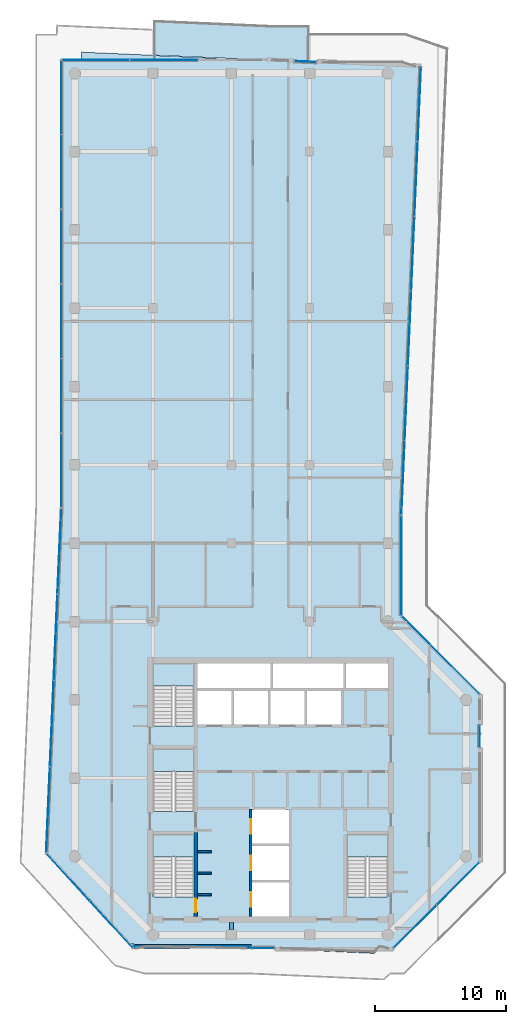
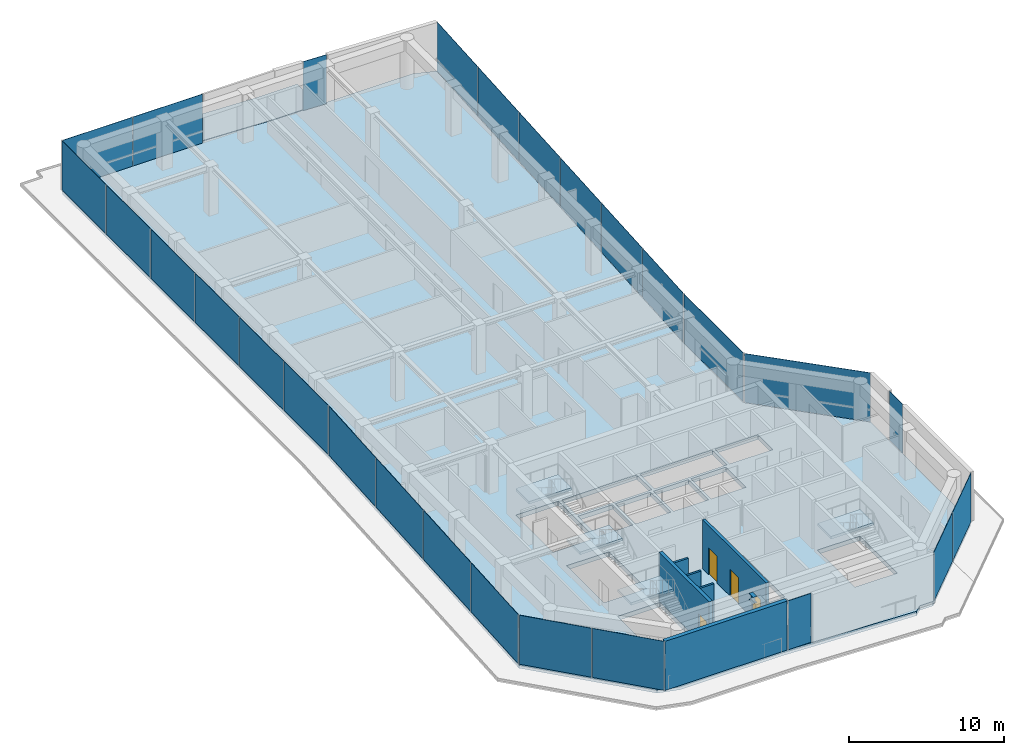
# One storey, part 15 of 20: 27 plates, 6 slabs, 6 walls, 4 doors, 1 beam, 4 openings, 15 elements without a shape of their own.
"""IFC4 building model written with IfcOpenShell, lengths in metres."""

from ifc_helpers import new_model, si_unit, direction, frame, frame_2d, origin, origin_2d, place, context, subcontext, project, spatial, polyline, rectangle, i_section, outline, extrude, material, layer, layer_set, material_profile, profile_set, type_object, element, fill, aggregate, save


model = new_model("IFC4")

# Units and contexts
model_context = context("Model", 3, precision=1e-05, world=origin(), true_north=direction((0.0, 1.0)))
body_context = subcontext(model_context, "Body", "Model", "MODEL_VIEW")
ifc_project = project(units=[si_unit("LENGTHUNIT", "METRE"), si_unit("AREAUNIT", "SQUARE_METRE"), si_unit("VOLUMEUNIT", "CUBIC_METRE"), si_unit("PLANEANGLEUNIT", "RADIAN"), si_unit("MASSUNIT", "GRAM", prefix="KILO")], contexts=[model_context])

# Site, building, storey
site_placement = place(None, origin())
site = spatial("IfcSite", under=ifc_project, at=site_placement, CompositionType="ELEMENT")
building_placement = place(site_placement, origin())
building = spatial("IfcBuilding", under=site, at=building_placement, Name="Welwitschia Terrace Campus", CompositionType="ELEMENT")
storey_placement = place(building_placement, frame((0.0, 0.0, 239.0)))
storey = spatial("IfcBuildingStorey", under=building, at=storey_placement, Name="L53", CompositionType="ELEMENT", Elevation=239.0)

# Beam
ifc_material_1 = material(Name="Steel S355", Category="steel")
ifc_material_profile = material_profile(ifc_material_1, i_section(OverallWidth=0.300048828125, OverallDepth=0.489990234375, WebThickness=0.011962890625, FlangeThickness=0.02294921875, FilletRadius=0.027099609375, at=origin_2d()))
ifc_profile_set = profile_set([ifc_material_profile], Name="Steel S355")
beam_type = type_object("IfcBeamType", Name="Primary beam HE 500 A", PredefinedType="BEAM", material=ifc_profile_set)
beam_placement = place(storey_placement, frame((12.0, 4.400390625, 3.60498046875), z_axis=(0.0, 1.0, 0.0), x_axis=(-1.0, 0.0, 0.0)))
element("IfcBeam", 1, at=beam_placement, inside=storey, type_object=beam_type, Name="Primary beam PB5", PredefinedType="BEAM", context=body_context, shape_type="SweptSolid", body=[
    extrude(i_section(OverallWidth=0.300048828125, OverallDepth=0.489990234375, WebThickness=0.011962890625, FlangeThickness=0.02294921875, FilletRadius=0.027099609375, at=origin_2d()), origin(), (0.0, 0.0, 1.0), 0.549560546875),
])

# Curtain wall, plates
ifc_material_2 = material(Name="Bronze anodised aluminium", Category="aluminium")
ifc_layer_1 = layer(ifc_material_2, 0.1201171875)
ifc_layer_set_1 = layer_set([ifc_layer_1], Name="Bronze anodised aluminium")
curtain_wall_type = type_object("IfcCurtainWallType", Name="Curtain wall CW2 tower 6000", PredefinedType="NOTDEFINED", material=ifc_layer_set_1)
curtain_wall_1_placement = place(storey_placement, origin())
curtain_wall_1 = element("IfcCurtainWall", 2, at=curtain_wall_1_placement, inside=storey, type_object=curtain_wall_type, Name="CW L53.0.0", PredefinedType="NOTDEFINED")
ifc_material_3 = material(Name="Tinted bronze-grey glass", Category="glass")
ifc_layer_2 = layer(ifc_material_3, 0.028076171875)
ifc_layer_set_2 = layer_set([ifc_layer_2], Name="Tinted bronze-grey glass")
plate_type = type_object("IfcPlateType", Name="Glass panel 28 tinted", PredefinedType="CURTAIN_PANEL", material=ifc_layer_set_2)
plate_1_placement = place(storey_placement, frame((-1.175048828125, 33.392822265625, 0.0), z_axis=(0.0, 0.0, 1.0), x_axis=(-0.043619387365, -0.999048221582, 0.0)))
plate_1 = element("IfcPlate", 3, at=plate_1_placement, type_object=plate_type, Name="Panel L53.0.0.0", PredefinedType="CURTAIN_PANEL", context=body_context, shape_type="SweptSolid", body=[
    extrude(rectangle(XDim=6.53173828125, YDim=0.028076171875, at=origin_2d()), origin(), (0.0, 0.0, 1.0), 3.85009765625),
])
plate_2_placement = place(storey_placement, frame((-1.46337890625, 26.792236328125, 0.0), z_axis=(0.0, 0.0, 1.0), x_axis=(-0.043619387365, -0.999048221582, 0.0)))
plate_2 = element("IfcPlate", 4, at=plate_2_placement, type_object=plate_type, Name="Panel L53.0.0.1", PredefinedType="CURTAIN_PANEL", context=body_context, shape_type="SweptSolid", body=[
    extrude(rectangle(XDim=6.561767578125, YDim=0.028076171875, at=origin_2d()), origin(), (0.0, 0.0, 1.0), 3.85009765625),
])
plate_3_placement = place(storey_placement, frame((-1.752197265625, 20.176513671875, 0.0), z_axis=(0.0, 0.0, 1.0), x_axis=(-0.043619387365, -0.999048221582, 0.0)))
plate_3 = element("IfcPlate", 5, at=plate_3_placement, type_object=plate_type, Name="Panel L53.0.0.2", PredefinedType="CURTAIN_PANEL", context=body_context, shape_type="SweptSolid", body=[
    extrude(rectangle(XDim=6.561767578125, YDim=0.028076171875, at=origin_2d()), origin(), (0.0, 0.0, 1.0), 3.85009765625),
])
plate_4_placement = place(storey_placement, frame((-2.040283203125, 13.576171875, 0.0), z_axis=(0.0, 0.0, 1.0), x_axis=(-0.043619387365, -0.999048221582, 0.0)))
plate_4 = element("IfcPlate", 6, at=plate_4_placement, type_object=plate_type, Name="Panel L53.0.0.3", PredefinedType="CURTAIN_PANEL", context=body_context, shape_type="SweptSolid", body=[
    extrude(rectangle(XDim=6.53173828125, YDim=0.028076171875, at=origin_2d()), origin(), (0.0, 0.0, 1.0), 3.85009765625),
])
aggregate(curtain_wall_1, [plate_1, plate_2, plate_3, plate_4])

curtain_wall_2_placement = place(storey_placement, origin())
curtain_wall_2 = element("IfcCurtainWall", 7, at=curtain_wall_2_placement, inside=storey, type_object=curtain_wall_type, Name="CW L53.1.0", PredefinedType="NOTDEFINED")
plate_5_placement = place(storey_placement, frame((-0.5068359375, 8.42138671875, 0.0), z_axis=(0.0, 0.0, 1.0), x_axis=(0.675590207616, -0.73727733681, 0.0)))
plate_5 = element("IfcPlate", 8, at=plate_5_placement, type_object=plate_type, Name="Panel L53.1.0.0", PredefinedType="CURTAIN_PANEL", context=body_context, shape_type="SweptSolid", body=[
    extrude(rectangle(XDim=4.849365234375, YDim=0.028076171875, at=origin_2d()), origin(), (0.0, 0.0, 1.0), 3.85009765625),
])
plate_6_placement = place(storey_placement, frame((2.81005859375, 4.802001953125, 0.0), z_axis=(0.0, 0.0, 1.0), x_axis=(0.675590207616, -0.73727733681, 0.0)))
plate_6 = element("IfcPlate", 9, at=plate_6_placement, type_object=plate_type, Name="Panel L53.1.0.1", PredefinedType="CURTAIN_PANEL", context=body_context, shape_type="SweptSolid", body=[
    extrude(rectangle(XDim=4.849365234375, YDim=0.028076171875, at=origin_2d()), origin(), (0.0, 0.0, 1.0), 3.85009765625),
])
aggregate(curtain_wall_2, [plate_5, plate_6])

# Curtain wall, plate
curtain_wall_3_placement = place(storey_placement, origin())
curtain_wall_3 = element("IfcCurtainWall", 10, at=curtain_wall_3_placement, inside=storey, type_object=curtain_wall_type, Name="CW L53.2.S0", PredefinedType="NOTDEFINED")
plate_7_placement = place(storey_placement, frame((14.45751953125, 2.969970703125, 0.0), z_axis=(0.0, 0.0, 1.0), x_axis=(1.0, 0.0, 0.0)))
plate_7 = element("IfcPlate", 11, at=plate_7_placement, type_object=plate_type, Name="Panel L53.2.S0.0", PredefinedType="CURTAIN_PANEL", context=body_context, shape_type="SweptSolid", body=[
    extrude(rectangle(XDim=1.679931640625, YDim=0.028076171875, at=origin_2d()), origin(), (0.0, 0.0, 1.0), 3.85009765625),
])
aggregate(curtain_wall_3, [plate_7])

# Curtain wall, plates
curtain_wall_4_placement = place(storey_placement, origin())
curtain_wall_4 = element("IfcCurtainWall", 12, at=curtain_wall_4_placement, inside=storey, type_object=curtain_wall_type, Name="CW L53.3.0", PredefinedType="NOTDEFINED")
plate_8_placement = place(storey_placement, frame((26.088134765625, 4.63134765625, 0.0), z_axis=(0.0, 0.0, 1.0), x_axis=(0.707106781187, 0.707106781187, 0.0)))
plate_8 = element("IfcPlate", 13, at=plate_8_placement, type_object=plate_type, Name="Panel L53.3.0.0", PredefinedType="CURTAIN_PANEL", context=body_context, shape_type="SweptSolid", body=[
    extrude(rectangle(XDim=4.579345703125, YDim=0.028076171875, at=origin_2d()), origin(), (0.0, 0.0, 1.0), 3.85009765625),
])
plate_9_placement = place(storey_placement, frame((29.36865234375, 7.911865234375, 0.0), z_axis=(0.0, 0.0, 1.0), x_axis=(0.707106781187, 0.707106781187, 0.0)))
plate_9 = element("IfcPlate", 14, at=plate_9_placement, type_object=plate_type, Name="Panel L53.3.0.1", PredefinedType="CURTAIN_PANEL", context=body_context, shape_type="SweptSolid", body=[
    extrude(rectangle(XDim=4.579345703125, YDim=0.028076171875, at=origin_2d()), origin(), (0.0, 0.0, 1.0), 3.85009765625),
])
aggregate(curtain_wall_4, [plate_8, plate_9])

# Curtain wall, plate
curtain_wall_5_placement = place(storey_placement, origin())
curtain_wall_5 = element("IfcCurtainWall", 15, at=curtain_wall_5_placement, inside=storey, type_object=curtain_wall_type, Name="CW L53.4.S0", PredefinedType="NOTDEFINED")
plate_10_placement = place(storey_placement, frame((31.030029296875, 19.21337890625, 0.0), z_axis=(0.0, 0.0, 1.0), x_axis=(0.0, 1.0, 0.0)))
plate_10 = element("IfcPlate", 16, at=plate_10_placement, type_object=plate_type, Name="Panel L53.4.S0.0", PredefinedType="CURTAIN_PANEL", context=body_context, shape_type="SweptSolid", body=[
    extrude(rectangle(XDim=1.679931640625, YDim=0.028076171875, at=origin_2d()), origin(), (0.0, 0.0, 1.0), 3.85009765625),
])
aggregate(curtain_wall_5, [plate_10])

curtain_wall_6_placement = place(storey_placement, origin())
curtain_wall_6 = element("IfcCurtainWall", 17, at=curtain_wall_6_placement, inside=storey, type_object=curtain_wall_type, Name="CW L53.5.0", PredefinedType="NOTDEFINED")
plate_11_placement = place(storey_placement, frame((28.030029296875, 25.4267578125, 0.0), z_axis=(0.0, 0.0, 1.0), x_axis=(-0.707106781187, 0.707106781187, 0.0)))
plate_11 = element("IfcPlate", 18, at=plate_11_placement, type_object=plate_type, Name="Panel L53.5.0.0", PredefinedType="CURTAIN_PANEL", context=body_context, shape_type="SweptSolid", body=[
    extrude(rectangle(XDim=8.365234375, YDim=0.028076171875, at=origin_2d()), origin(), (0.0, 0.0, 1.0), 3.85009765625),
])
aggregate(curtain_wall_6, [plate_11])

curtain_wall_7_placement = place(storey_placement, origin())
curtain_wall_7 = element("IfcCurtainWall", 19, at=curtain_wall_7_placement, inside=storey, type_object=curtain_wall_type, Name="CW L53.6.0", PredefinedType="NOTDEFINED")
plate_12_placement = place(storey_placement, frame((25.030029296875, 32.28662109375, 0.0), z_axis=(0.0, 0.0, 1.0), x_axis=(0.0, 1.0, 0.0)))
plate_12 = element("IfcPlate", 20, at=plate_12_placement, type_object=plate_type, Name="Panel L53.6.0.0", PredefinedType="CURTAIN_PANEL", context=body_context, shape_type="SweptSolid", body=[
    extrude(rectangle(XDim=7.60009765625, YDim=0.028076171875, at=origin_2d()), origin(), (0.0, 0.0, 1.0), 3.85009765625),
])
aggregate(curtain_wall_7, [plate_12])

# Curtain wall, plates
curtain_wall_8_placement = place(storey_placement, origin())
curtain_wall_8 = element("IfcCurtainWall", 21, at=curtain_wall_8_placement, inside=storey, type_object=curtain_wall_type, Name="CW L53.7.0", PredefinedType="NOTDEFINED")
plate_13_placement = place(storey_placement, frame((25.15576171875, 39.025146484375, 0.0), z_axis=(0.0, 0.0, 1.0), x_axis=(0.043619387365, 0.999048221582, 0.0)))
plate_13 = element("IfcPlate", 22, at=plate_13_placement, type_object=plate_type, Name="Panel L53.7.0.0", PredefinedType="CURTAIN_PANEL", context=body_context, shape_type="SweptSolid", body=[
    extrude(rectangle(XDim=5.64208984375, YDim=0.028076171875, at=origin_2d()), origin(), (0.0, 0.0, 1.0), 3.85009765625),
])
plate_14_placement = place(storey_placement, frame((25.405029296875, 44.73681640625, 0.0), z_axis=(0.0, 0.0, 1.0), x_axis=(0.043619387365, 0.999048221582, 0.0)))
plate_14 = element("IfcPlate", 23, at=plate_14_placement, type_object=plate_type, Name="Panel L53.7.0.1", PredefinedType="CURTAIN_PANEL", context=body_context, shape_type="SweptSolid", body=[
    extrude(rectangle(XDim=5.672119140625, YDim=0.028076171875, at=origin_2d()), origin(), (0.0, 0.0, 1.0), 3.85009765625),
])
plate_15_placement = place(storey_placement, frame((25.655029296875, 50.463623046875, 0.0), z_axis=(0.0, 0.0, 1.0), x_axis=(0.043619387365, 0.999048221582, 0.0)))
plate_15 = element("IfcPlate", 24, at=plate_15_placement, type_object=plate_type, Name="Panel L53.7.0.2", PredefinedType="CURTAIN_PANEL", context=body_context, shape_type="SweptSolid", body=[
    extrude(rectangle(XDim=5.672119140625, YDim=0.028076171875, at=origin_2d()), origin(), (0.0, 0.0, 1.0), 3.85009765625),
])
plate_16_placement = place(storey_placement, frame((25.905029296875, 56.1904296875, 0.0), z_axis=(0.0, 0.0, 1.0), x_axis=(0.043619387365, 0.999048221582, 0.0)))
plate_16 = element("IfcPlate", 25, at=plate_16_placement, type_object=plate_type, Name="Panel L53.7.0.3", PredefinedType="CURTAIN_PANEL", context=body_context, shape_type="SweptSolid", body=[
    extrude(rectangle(XDim=5.672119140625, YDim=0.028076171875, at=origin_2d()), origin(), (0.0, 0.0, 1.0), 3.85009765625),
])
plate_17_placement = place(storey_placement, frame((26.1552734375, 61.9169921875, 0.0), z_axis=(0.0, 0.0, 1.0), x_axis=(0.043619387365, 0.999048221582, 0.0)))
plate_17 = element("IfcPlate", 26, at=plate_17_placement, type_object=plate_type, Name="Panel L53.7.0.4", PredefinedType="CURTAIN_PANEL", context=body_context, shape_type="SweptSolid", body=[
    extrude(rectangle(XDim=5.672119140625, YDim=0.028076171875, at=origin_2d()), origin(), (0.0, 0.0, 1.0), 3.85009765625),
])
plate_18_placement = place(storey_placement, frame((26.404541015625, 67.62890625, 0.0), z_axis=(0.0, 0.0, 1.0), x_axis=(0.043619387365, 0.999048221582, 0.0)))
plate_18 = element("IfcPlate", 27, at=plate_18_placement, type_object=plate_type, Name="Panel L53.7.0.5", PredefinedType="CURTAIN_PANEL", context=body_context, shape_type="SweptSolid", body=[
    extrude(rectangle(XDim=5.64208984375, YDim=0.028076171875, at=origin_2d()), origin(), (0.0, 0.0, 1.0), 3.85009765625),
])
aggregate(curtain_wall_8, [plate_13, plate_14, plate_15, plate_16, plate_17, plate_18])

# Curtain wall, plate
curtain_wall_9_placement = place(storey_placement, origin())
curtain_wall_9 = element("IfcCurtainWall", 28, at=curtain_wall_9_placement, inside=storey, type_object=curtain_wall_type, Name="CW L53.8.S0", PredefinedType="NOTDEFINED")
plate_19_placement = place(storey_placement, frame((17.67919921875, 70.8994140625, 0.0), z_axis=(0.0, 0.0, 1.0), x_axis=(-0.999020079592, 0.044259242784, 0.0)))
plate_19 = element("IfcPlate", 29, at=plate_19_placement, type_object=plate_type, Name="Panel L53.8.S0.0", PredefinedType="CURTAIN_PANEL", context=body_context, shape_type="SweptSolid", body=[
    extrude(rectangle(XDim=1.679931640625, YDim=0.028076171875, at=origin_2d()), origin(), (0.0, 0.0, 1.0), 3.85009765625),
])
aggregate(curtain_wall_9, [plate_19])

# Curtain wall, plates
curtain_wall_10_placement = place(storey_placement, origin())
curtain_wall_10 = element("IfcCurtainWall", 30, at=curtain_wall_10_placement, inside=storey, type_object=curtain_wall_type, Name="CW L53.9.1", PredefinedType="NOTDEFINED")
plate_20_placement = place(storey_placement, frame((6.83447265625, 71.030029296875, 0.0), z_axis=(0.0, 0.0, 1.0), x_axis=(-1.0, 0.0, 0.0)))
plate_20 = element("IfcPlate", 31, at=plate_20_placement, type_object=plate_type, Name="Panel L53.9.1.0", PredefinedType="CURTAIN_PANEL", context=body_context, shape_type="SweptSolid", body=[
    extrude(rectangle(XDim=5.162841796875, YDim=0.028076171875, at=origin_2d()), origin(), (0.0, 0.0, 1.0), 3.85009765625),
])
plate_21_placement = place(storey_placement, frame((1.611572265625, 71.030029296875, 0.0), z_axis=(0.0, 0.0, 1.0), x_axis=(-1.0, 0.0, 0.0)))
plate_21 = element("IfcPlate", 32, at=plate_21_placement, type_object=plate_type, Name="Panel L53.9.1.1", PredefinedType="CURTAIN_PANEL", context=body_context, shape_type="SweptSolid", body=[
    extrude(rectangle(XDim=5.162841796875, YDim=0.028076171875, at=origin_2d()), origin(), (0.0, 0.0, 1.0), 3.85009765625),
])
aggregate(curtain_wall_10, [plate_20, plate_21])

curtain_wall_11_placement = place(storey_placement, origin())
curtain_wall_11 = element("IfcCurtainWall", 33, at=curtain_wall_11_placement, inside=storey, type_object=curtain_wall_type, Name="CW L53.10.0", PredefinedType="NOTDEFINED")
plate_22_placement = place(storey_placement, frame((-1.030029296875, 68.155517578125, 0.0), z_axis=(0.0, 0.0, 1.0), x_axis=(0.0, -1.0, 0.0)))
plate_22 = element("IfcPlate", 34, at=plate_22_placement, type_object=plate_type, Name="Panel L53.10.0.0", PredefinedType="CURTAIN_PANEL", context=body_context, shape_type="SweptSolid", body=[
    extrude(rectangle(XDim=5.629150390625, YDim=0.028076171875, at=origin_2d()), origin(), (0.0, 0.0, 1.0), 3.85009765625),
])
plate_23_placement = place(storey_placement, frame((-1.030029296875, 62.451416015625, 0.0), z_axis=(0.0, 0.0, 1.0), x_axis=(0.0, -1.0, 0.0)))
plate_23 = element("IfcPlate", 35, at=plate_23_placement, type_object=plate_type, Name="Panel L53.10.0.1", PredefinedType="CURTAIN_PANEL", context=body_context, shape_type="SweptSolid", body=[
    extrude(rectangle(XDim=5.6591796875, YDim=0.028076171875, at=origin_2d()), origin(), (0.0, 0.0, 1.0), 3.85009765625),
])
plate_24_placement = place(storey_placement, frame((-1.030029296875, 56.732177734375, 0.0), z_axis=(0.0, 0.0, 1.0), x_axis=(0.0, -1.0, 0.0)))
plate_24 = element("IfcPlate", 36, at=plate_24_placement, type_object=plate_type, Name="Panel L53.10.0.2", PredefinedType="CURTAIN_PANEL", context=body_context, shape_type="SweptSolid", body=[
    extrude(rectangle(XDim=5.6591796875, YDim=0.028076171875, at=origin_2d()), origin(), (0.0, 0.0, 1.0), 3.85009765625),
])
plate_25_placement = place(storey_placement, frame((-1.030029296875, 51.01318359375, 0.0), z_axis=(0.0, 0.0, 1.0), x_axis=(0.0, -1.0, 0.0)))
plate_25 = element("IfcPlate", 37, at=plate_25_placement, type_object=plate_type, Name="Panel L53.10.0.3", PredefinedType="CURTAIN_PANEL", context=body_context, shape_type="SweptSolid", body=[
    extrude(rectangle(XDim=5.6591796875, YDim=0.028076171875, at=origin_2d()), origin(), (0.0, 0.0, 1.0), 3.85009765625),
])
plate_26_placement = place(storey_placement, frame((-1.030029296875, 45.294189453125, 0.0), z_axis=(0.0, 0.0, 1.0), x_axis=(0.0, -1.0, 0.0)))
plate_26 = element("IfcPlate", 38, at=plate_26_placement, type_object=plate_type, Name="Panel L53.10.0.4", PredefinedType="CURTAIN_PANEL", context=body_context, shape_type="SweptSolid", body=[
    extrude(rectangle(XDim=5.6591796875, YDim=0.028076171875, at=origin_2d()), origin(), (0.0, 0.0, 1.0), 3.85009765625),
])
plate_27_placement = place(storey_placement, frame((-1.030029296875, 39.590087890625, 0.0), z_axis=(0.0, 0.0, 1.0), x_axis=(0.0, -1.0, 0.0)))
plate_27 = element("IfcPlate", 39, at=plate_27_placement, type_object=plate_type, Name="Panel L53.10.0.5", PredefinedType="CURTAIN_PANEL", context=body_context, shape_type="SweptSolid", body=[
    extrude(rectangle(XDim=5.629150390625, YDim=0.028076171875, at=origin_2d()), origin(), (0.0, 0.0, 1.0), 3.85009765625),
])
aggregate(curtain_wall_11, [plate_22, plate_23, plate_24, plate_25, plate_26, plate_27])

# Stair, slab
ifc_material_4 = material(Name="Concrete C40/50", Category="concrete")
stair_type = type_object("IfcStairType", Name="Stair 24R 175 W1500", PredefinedType="HALF_TURN_STAIR", material=ifc_material_4)
stair_1_placement = place(storey_placement, origin())
stair_1 = element("IfcStair", 40, at=stair_1_placement, inside=storey, type_object=stair_type, Name="L53 Exit stair S1", PredefinedType="HALF_TURN_STAIR")
ifc_material_5 = material(Name="Concrete C40/50", Category="concrete")
ifc_layer_3 = layer(ifc_material_5, 0.199951171875)
ifc_layer_set_3 = layer_set([ifc_layer_3], Name="Concrete C40/50")
slab_type_1 = type_object("IfcSlabType", Name="Stair landing RC", PredefinedType="LANDING", material=ifc_layer_set_3)
slab_1_placement = place(storey_placement, frame((0.0, 0.0, 1.89990234375)))
slab_1 = element("IfcSlab", 41, at=slab_1_placement, type_object=slab_type_1, Name="S1 landing 1", PredefinedType="LANDING", context=body_context, shape_type="SweptSolid", body=[
    extrude(outline(polyline([(9.14990234375, 9.97998046875), (9.14990234375, 11.699951171875), (6.0, 11.699951171875), (6.0, 9.97998046875), (9.14990234375, 9.97998046875)])), origin(), (0.0, 0.0, 1.0), 0.2001953125),
])
aggregate(stair_1, [slab_1])

stair_2_placement = place(storey_placement, origin())
stair_2 = element("IfcStair", 42, at=stair_2_placement, inside=storey, type_object=stair_type, Name="L53 Exit stair S3", PredefinedType="HALF_TURN_STAIR")
slab_2_placement = place(storey_placement, frame((0.0, 0.0, 1.89990234375)))
slab_2 = element("IfcSlab", 43, at=slab_2_placement, type_object=slab_type_1, Name="S3 landing 1", PredefinedType="LANDING", context=body_context, shape_type="SweptSolid", body=[
    extrude(outline(polyline([(9.14990234375, 16.530029296875), (9.14990234375, 18.25), (6.0, 18.25), (6.0, 16.530029296875), (9.14990234375, 16.530029296875)])), origin(), (0.0, 0.0, 1.0), 0.2001953125),
])
aggregate(stair_2, [slab_2])

stair_3_placement = place(storey_placement, origin())
stair_3 = element("IfcStair", 44, at=stair_3_placement, inside=storey, type_object=stair_type, Name="L53 Exit stair S4", PredefinedType="HALF_TURN_STAIR")
slab_3_placement = place(storey_placement, frame((0.0, 0.0, 1.89990234375)))
slab_3 = element("IfcSlab", 45, at=slab_3_placement, type_object=slab_type_1, Name="S4 landing 1", PredefinedType="LANDING", context=body_context, shape_type="SweptSolid", body=[
    extrude(outline(polyline([(9.14990234375, 23.080078125), (9.14990234375, 24.800048828125), (6.0, 24.800048828125), (6.0, 23.080078125), (9.14990234375, 23.080078125)])), origin(), (0.0, 0.0, 1.0), 0.2001953125),
])
aggregate(stair_3, [slab_3])

stair_4_placement = place(storey_placement, origin())
stair_4 = element("IfcStair", 46, at=stair_4_placement, inside=storey, type_object=stair_type, Name="L53 Exit stair S2", PredefinedType="HALF_TURN_STAIR")
slab_4_placement = place(storey_placement, frame((0.0, 0.0, 1.89990234375)))
slab_4 = element("IfcSlab", 47, at=slab_4_placement, type_object=slab_type_1, Name="S2 landing 1", PredefinedType="LANDING", context=body_context, shape_type="SweptSolid", body=[
    extrude(outline(polyline([(24.0, 9.97998046875), (24.0, 11.699951171875), (20.85009765625, 11.699951171875), (20.85009765625, 9.97998046875), (24.0, 9.97998046875)])), origin(), (0.0, 0.0, 1.0), 0.2001953125),
])
aggregate(stair_4, [slab_4])

# Slabs
ifc_material_6 = material(Name="Concrete C40/50", Category="concrete")
ifc_layer_4 = layer(ifc_material_6, 0.35009765625)
ifc_layer_set_4 = layer_set([ifc_layer_4], Name="Concrete C40/50")
slab_type_2 = type_object("IfcSlabType", Name="Suspended floor slab 350", PredefinedType="FLOOR", material=ifc_layer_set_4)
slab_5_placement = place(storey_placement, frame((0.0, 0.0, -0.35009765625)))
element("IfcSlab", 48, at=slab_5_placement, inside=storey, type_object=slab_type_2, Name="Floor slab L53", PredefinedType="FLOOR", context=body_context, shape_type="SweptSolid", body=[
    extrude(outline(polyline([(0.52392578125, 71.6201171875), (5.998046875, 71.381103515625), (5.997314453125, 71.3662109375), (14.7275390625, 70.985107421875), (14.728271484375, 70.985107421875), (18.001953125, 70.985107421875), (18.001953125, 71.0), (25.0, 71.0), (26.499267578125, 70.486083984375), (25.0, 36.1474609375), (25.0, 28.414306640625), (31.0, 22.414306640625), (31.0, 9.585693359375), (24.414306640625, 3.0), (23.41015625, 3.0), (22.947998046875, 2.576416015625), (13.244384765625, 3.0), (5.585693359375, 3.0), (4.137451171875, 3.397705078125), (-2.15478515625, 10.264404296875), (-1.0, 36.71484375), (-1.0, 71.0), (0.496826171875, 71.0), (0.52392578125, 71.6201171875)]), holes=[polyline([(13.60009765625, 5.39990234375), (16.39990234375, 5.39990234375), (16.39990234375, 8.0), (13.60009765625, 8.0), (13.60009765625, 5.39990234375)]), polyline([(6.0, 11.699951171875), (6.0, 6.902099609375), (9.14990234375, 6.902099609375), (9.14990234375, 11.699951171875), (6.0, 11.699951171875)]), polyline([(6.0, 18.25), (6.0, 13.451904296875), (9.14990234375, 13.451904296875), (9.14990234375, 18.25), (6.0, 18.25)]), polyline([(9.39990234375, 22.699951171875), (9.39990234375, 20.10009765625), (12.0, 20.10009765625), (12.0, 22.699951171875), (9.39990234375, 22.699951171875)]), polyline([(12.199951171875, 22.699951171875), (12.199951171875, 20.10009765625), (14.800048828125, 20.10009765625), (14.800048828125, 22.699951171875), (12.199951171875, 22.699951171875)]), polyline([(6.0, 24.800048828125), (6.0, 20.001953125), (9.14990234375, 20.001953125), (9.14990234375, 24.800048828125), (6.0, 24.800048828125)]), polyline([(9.39990234375, 24.800048828125), (9.39990234375, 22.89990234375), (15.0, 22.89990234375), (15.0, 24.800048828125), (9.39990234375, 24.800048828125)]), polyline([(20.85009765625, 6.902099609375), (24.0, 6.902099609375), (24.0, 11.699951171875), (20.85009765625, 11.699951171875), (20.85009765625, 6.902099609375)]), polyline([(13.60009765625, 10.800048828125), (13.60009765625, 8.199951171875), (16.39990234375, 8.199951171875), (16.39990234375, 10.800048828125), (13.60009765625, 10.800048828125)]), polyline([(13.60009765625, 13.60009765625), (13.60009765625, 11.0), (16.39990234375, 11.0), (16.39990234375, 13.60009765625), (13.60009765625, 13.60009765625)]), polyline([(15.0, 22.699951171875), (15.0, 20.10009765625), (17.60009765625, 20.10009765625), (17.60009765625, 22.699951171875), (15.0, 22.699951171875)]), polyline([(17.800048828125, 22.699951171875), (17.800048828125, 20.10009765625), (20.39990234375, 20.10009765625), (20.39990234375, 22.699951171875), (17.800048828125, 22.699951171875)]), polyline([(15.199951171875, 24.800048828125), (15.199951171875, 22.89990234375), (20.60009765625, 22.89990234375), (20.60009765625, 24.800048828125), (15.199951171875, 24.800048828125)]), polyline([(20.800048828125, 24.800048828125), (20.800048828125, 22.89990234375), (24.0, 22.89990234375), (24.0, 24.800048828125), (20.800048828125, 24.800048828125)])]), origin(), (0.0, 0.0, 1.0), 0.35009765625),
])
ifc_material_7 = material(Name="Concrete C40/50", Category="concrete")
ifc_layer_5 = layer(ifc_material_7, 0.35009765625)
ifc_layer_set_5 = layer_set([ifc_layer_5], Name="Concrete C40/50")
slab_type_3 = type_object("IfcSlabType", Name="Terrace slab 350", PredefinedType="FLOOR", material=ifc_layer_set_5)
slab_6_placement = place(storey_placement, frame((0.0, 0.0, -0.35009765625)))
element("IfcSlab", 49, at=slab_6_placement, inside=storey, type_object=slab_type_3, Name="Terrace slab", PredefinedType="FLOOR", context=body_context, shape_type="SweptSolid", body=[
    extrude(outline(polyline([(6.0, 74.083740234375), (14.787109375, 73.699951171875), (18.0, 73.699951171875), (18.0, 71.014892578125), (14.728515625, 71.014892578125), (6.0, 71.39599609375), (6.0, 74.083740234375)])), origin(), (0.0, 0.0, 1.0), 0.35009765625),
])

# Walls
ifc_material_8 = material(Name="Concrete C50/60", Category="concrete")
ifc_layer_6 = layer(ifc_material_8, 0.14990234375)
ifc_layer_set_6 = layer_set([ifc_layer_6], Name="Concrete C50/60")
wall_type_1 = type_object("IfcWallType", Name="Core wall 150 Concrete C50/60", PredefinedType="SHEAR", material=ifc_layer_set_6)
for number, where, z_axis, x_axis, name in (
    (50, (9.39990234375, 7.074951171875, 0.0), (0.0, 0.0, 1.0), (1.0, 0.0, 0.0), "Core wall"),
    (51, (9.39990234375, 8.72509765625, 0.0), (0.0, 0.0, 1.0), (1.0, 0.0, 0.0), "Core wall"),
    (52, (9.39990234375, 10.375, 0.0), (0.0, 0.0, 1.0), (1.0, 0.0, 0.0), "Core wall"),
):
    element("IfcWall", number, at=place(storey_placement, frame(where, z_axis=z_axis, x_axis=x_axis)), inside=storey, type_object=wall_type_1, Name=name, PredefinedType="SHEAR", context=body_context, shape_type="SweptSolid", body=[
        extrude(rectangle(XDim=1.050048828125, YDim=0.14990234375, at=frame_2d((0.52490234375, 0.0))), origin(), (0.0, 0.0, 1.0), 3.85009765625),
    ])

# Wall, openings, doors
ifc_material_9 = material(Name="Concrete C50/60", Category="concrete")
ifc_layer_7 = layer(ifc_material_9, 0.199951171875)
ifc_layer_set_7 = layer_set([ifc_layer_7], Name="Concrete C50/60")
wall_type_2 = type_object("IfcWallType", Name="Core wall 200 Concrete C50/60", PredefinedType="SHEAR", material=ifc_layer_set_7)
wall_1_placement = place(storey_placement, frame((13.5, 5.39990234375, 0.0), z_axis=(0.0, 0.0, 1.0), x_axis=(0.0, 1.0, 0.0)))
wall_1 = element("IfcWall", 53, at=wall_1_placement, inside=storey, type_object=wall_type_2, Name="Core wall", PredefinedType="SHEAR", context=body_context, shape_type="SweptSolid", body=[
    extrude(rectangle(XDim=8.2001953125, YDim=0.199951171875, at=frame_2d((4.10009765625, 0.0))), origin(), (0.0, 0.0, 1.0), 3.85009765625),
])
opening_1_placement = place(wall_1_placement, frame((0.75, 0.0, 0.0)))
opening_1 = element("IfcOpeningElement", 54, at=opening_1_placement, cuts=wall_1, Name="Opening LD", PredefinedType="OPENING", context=body_context, shape_type="SweptSolid", body=[
    extrude(rectangle(XDim=1.10009765625, YDim=2.10009765625, at=frame_2d((0.550048828125, 1.050048828125))), frame((0.0, 0.10986328125, 0.0), z_axis=(0.0, -1.0, 0.0), x_axis=(1.0, 0.0, 0.0)), (0.0, 0.0, 1.0), 0.219970703125),
])
opening_2_placement = place(wall_1_placement, frame((3.550048828125, 0.0, 0.0)))
opening_2 = element("IfcOpeningElement", 55, at=opening_2_placement, cuts=wall_1, Name="Opening LD", PredefinedType="OPENING", context=body_context, shape_type="SweptSolid", body=[
    extrude(rectangle(XDim=1.10009765625, YDim=2.10009765625, at=frame_2d((0.550048828125, 1.050048828125))), frame((0.0, 0.10986328125, 0.0), z_axis=(0.0, -1.0, 0.0), x_axis=(1.0, 0.0, 0.0)), (0.0, 0.0, 1.0), 0.219970703125),
])
opening_3_placement = place(wall_1_placement, frame((6.35009765625, 0.0, 0.0)))
opening_3 = element("IfcOpeningElement", 56, at=opening_3_placement, cuts=wall_1, Name="Opening LD", PredefinedType="OPENING", context=body_context, shape_type="SweptSolid", body=[
    extrude(rectangle(XDim=1.10009765625, YDim=2.10009765625, at=frame_2d((0.550048828125, 1.050048828125))), frame((0.0, 0.10986328125, 0.0), z_axis=(0.0, -1.0, 0.0), x_axis=(1.0, 0.0, 0.0)), (0.0, 0.0, 1.0), 0.219970703125),
])
ifc_material_10 = material(Name="Stainless steel 304", Category="steel")
door_type_1 = type_object("IfcDoorType", Name="Lift landing door", OperationType="DOUBLE_DOOR_SLIDING", PredefinedType="DOOR", material=ifc_material_10)
door_1_placement = place(opening_1_placement, origin())
door_1 = element("IfcDoor", 57, at=door_1_placement, inside=storey, type_object=door_type_1, Name="Landing door FF1", OperationType="DOUBLE_DOOR_SLIDING", OverallHeight=2.10009765625, OverallWidth=1.10009765625, PredefinedType="DOOR", context=body_context, shape_type="SweptSolid", body=[
    extrude(rectangle(XDim=1.10009765625, YDim=2.10009765625, at=frame_2d((0.550048828125, 1.050048828125))), frame((0.0, 0.02490234375, 0.0), z_axis=(0.0, -1.0, 0.0), x_axis=(1.0, 0.0, 0.0)), (0.0, 0.0, 1.0), 0.050048828125),
])
fill(opening_1, door_1)
door_2_placement = place(opening_2_placement, origin())
door_2 = element("IfcDoor", 58, at=door_2_placement, inside=storey, type_object=door_type_1, Name="Landing door FF2", OperationType="DOUBLE_DOOR_SLIDING", OverallHeight=2.10009765625, OverallWidth=1.10009765625, PredefinedType="DOOR", context=body_context, shape_type="SweptSolid", body=[
    extrude(rectangle(XDim=1.10009765625, YDim=2.10009765625, at=frame_2d((0.550048828125, 1.050048828125))), frame((0.0, 0.02490234375, 0.0), z_axis=(0.0, -1.0, 0.0), x_axis=(1.0, 0.0, 0.0)), (0.0, 0.0, 1.0), 0.050048828125),
])
fill(opening_2, door_2)
door_3_placement = place(opening_3_placement, origin())
door_3 = element("IfcDoor", 59, at=door_3_placement, inside=storey, type_object=door_type_1, Name="Landing door SV1", OperationType="DOUBLE_DOOR_SLIDING", OverallHeight=2.10009765625, OverallWidth=1.10009765625, PredefinedType="DOOR", context=body_context, shape_type="SweptSolid", body=[
    extrude(rectangle(XDim=1.10009765625, YDim=2.10009765625, at=frame_2d((0.550048828125, 1.050048828125))), frame((0.0, 0.02490234375, 0.0), z_axis=(0.0, -1.0, 0.0), x_axis=(1.0, 0.0, 0.0)), (0.0, 0.0, 1.0), 0.050048828125),
])
fill(opening_3, door_3)

# Wall, opening, door
ifc_material_11 = material(Name="Concrete C50/60", Category="concrete")
ifc_layer_8 = layer(ifc_material_11, 0.25)
ifc_layer_set_8 = layer_set([ifc_layer_8], Name="Concrete C50/60")
wall_type_3 = type_object("IfcWallType", Name="Core wall 250 Concrete C50/60", PredefinedType="SHEAR", material=ifc_layer_set_8)
wall_2_placement = place(storey_placement, frame((9.27490234375, 11.824951171875, 0.0), z_axis=(0.0, 0.0, 1.0), x_axis=(0.0, -1.0, 0.0)))
wall_2 = element("IfcWall", 60, at=wall_2_placement, inside=storey, type_object=wall_type_3, Name="Core wall", PredefinedType="SHEAR", context=body_context, shape_type="SweptSolid", body=[
    extrude(rectangle(XDim=6.425048828125, YDim=0.25, at=frame_2d((3.21240234375, 0.0))), origin(), (0.0, 0.0, 1.0), 3.85009765625),
])
opening_4_placement = place(wall_2_placement, frame((5.074951171875, 0.0, 0.0)))
opening_4 = element("IfcOpeningElement", 61, at=opening_4_placement, cuts=wall_2, Name="Opening DS10", PredefinedType="OPENING", context=body_context, shape_type="SweptSolid", body=[
    extrude(rectangle(XDim=1.0, YDim=2.10009765625, at=frame_2d((0.5, 1.050048828125))), frame((0.0, 0.135009765625, 0.0), z_axis=(0.0, -1.0, 0.0), x_axis=(1.0, 0.0, 0.0)), (0.0, 0.0, 1.0), 0.27001953125),
])
ifc_material_12 = material(Name="Steel S275", Category="steel")
door_type_2 = type_object("IfcDoorType", Name="Core door DS10", OperationType="SINGLE_SWING_LEFT", PredefinedType="DOOR", material=ifc_material_12)
door_4_placement = place(opening_4_placement, origin())
door_4 = element("IfcDoor", 62, at=door_4_placement, inside=storey, type_object=door_type_2, Name="Door S1-FL", OperationType="SINGLE_SWING_RIGHT", OverallHeight=2.10009765625, OverallWidth=1.0, PredefinedType="DOOR", context=body_context, shape_type="SweptSolid", body=[
    extrude(rectangle(XDim=1.0, YDim=2.10009765625, at=frame_2d((0.5, 1.050048828125))), frame((0.0, 0.02490234375, 0.0), z_axis=(0.0, -1.0, 0.0), x_axis=(1.0, 0.0, 0.0)), (0.0, 0.0, 1.0), 0.050048828125),
])
fill(opening_4, door_4)

# Wall
ifc_material_13 = material(Name="Concrete C40/50", Category="concrete")
ifc_layer_9 = layer(ifc_material_13, 0.300048828125)
ifc_layer_set_9 = layer_set([ifc_layer_9], Name="Concrete C40/50")
wall_type_4 = type_object("IfcWallType", Name="Mass wall 300", PredefinedType="SOLIDWALL", material=ifc_layer_set_9)
wall_3_placement = place(storey_placement, frame((4.488525390625, 3.1201171875, 0.0), z_axis=(0.0, 0.0, 1.0), x_axis=(1.0, 0.0, 0.0)))
element("IfcWall", 63, at=wall_3_placement, inside=storey, type_object=wall_type_4, Name="Mass wall L53.2.0", PredefinedType="SOLIDWALL", context=body_context, shape_type="SweptSolid", body=[
    extrude(rectangle(XDim=9.069091796875, YDim=0.300048828125, at=frame_2d((4.53466796875, 0.0))), origin(), (0.0, 0.0, 1.0), 3.85009765625),
])

save(model, "model.ifc")
